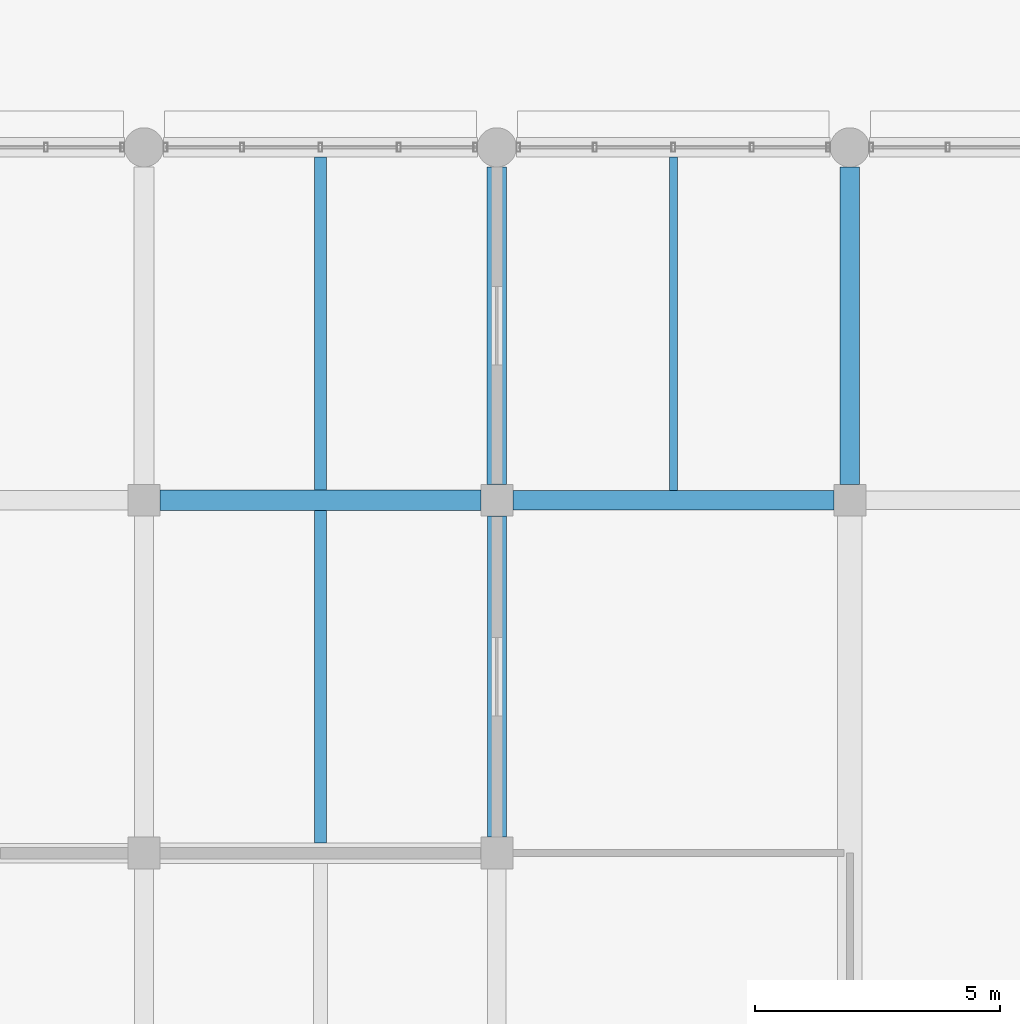
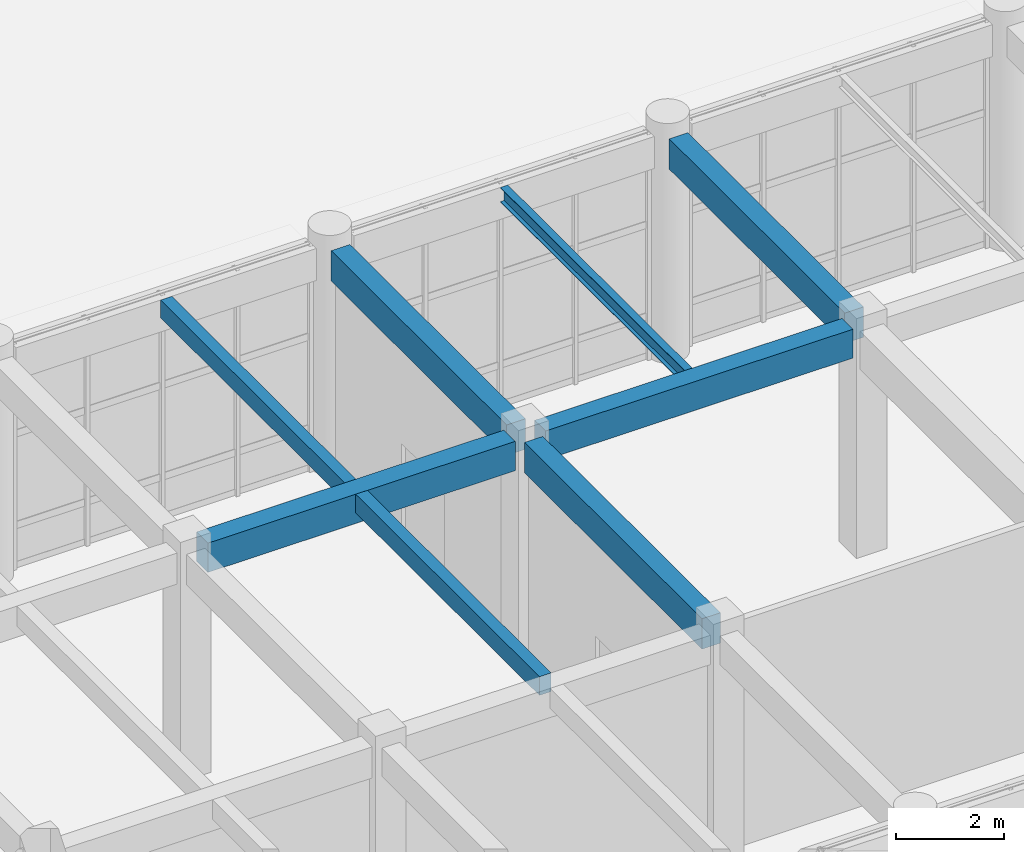
# One storey, part 51 of 160: 8 beams.
"""IFC4 building model written with IfcOpenShell, lengths in metres."""

from ifc_helpers import new_model, si_unit, direction, frame, origin, origin_2d, place, context, subcontext, project, spatial, rectangle, i_section, extrude, material, material_profile, profile_set, type_object, element, save


model = new_model("IFC4")

# Units and contexts
model_context = context("Model", 3, precision=1e-05, world=origin(), true_north=direction((0.0, 1.0)))
body_context = subcontext(model_context, "Body", "Model", "MODEL_VIEW")
ifc_project = project(units=[si_unit("LENGTHUNIT", "METRE"), si_unit("AREAUNIT", "SQUARE_METRE"), si_unit("VOLUMEUNIT", "CUBIC_METRE"), si_unit("PLANEANGLEUNIT", "RADIAN"), si_unit("MASSUNIT", "GRAM", prefix="KILO")], contexts=[model_context])

# Site, building, storey
site_placement = place(None, origin())
site = spatial("IfcSite", under=ifc_project, at=site_placement, CompositionType="ELEMENT")
building_placement = place(site_placement, origin())
building = spatial("IfcBuilding", under=site, at=building_placement, Name="Thalmaran Polytechnic", CompositionType="ELEMENT")
storey_placement = place(building_placement, origin())
storey = spatial("IfcBuildingStorey", under=building, at=storey_placement, Name="L00", CompositionType="ELEMENT", Elevation=0.0)

# Beams
ifc_material_1 = material(Name="Concrete C40/50", Category="concrete")
ifc_material_profile_1 = material_profile(ifc_material_1, rectangle(XDim=0.39990234375, YDim=0.64990234375, at=origin_2d()), Name="RC 400x650")
ifc_profile_set_1 = profile_set([ifc_material_profile_1], Name="Concrete C40/50")
beam_type_1 = type_object("IfcBeamType", Name="BM-RC06", PredefinedType="BEAM", material=ifc_profile_set_1)
beam_1_placement = place(storey_placement, frame((50.72509765625, 64.800048828125, 4.764892578125), z_axis=(1.0, 0.0, 0.0), x_axis=(0.0, 1.0, 0.0)))
element("IfcBeam", 1, at=beam_1_placement, inside=storey, type_object=beam_type_1, Name="Grid Beam B06 L00 X(7,9)", PredefinedType="BEAM", context=body_context, shape_type="SweptSolid", body=[
    extrude(rectangle(XDim=0.39990234375, YDim=0.64990234375, at=origin_2d()), origin(), (0.0, 0.0, 1.0), 6.5498046875),
])
ifc_material_profile_2 = material_profile(ifc_material_1, rectangle(XDim=0.389892578125, YDim=0.68505859375, at=origin_2d()), Name="RC 390x685")
ifc_profile_set_2 = profile_set([ifc_material_profile_2], Name="Concrete C40/50")
beam_type_2 = type_object("IfcBeamType", Name="BM-RC08", PredefinedType="BEAM", material=ifc_profile_set_2)
beam_2_placement = place(storey_placement, frame((50.39990234375, 57.925048828125, 4.74755859375), z_axis=(0.0, 1.0, 0.0), x_axis=(-1.0, 0.0, 0.0)))
element("IfcBeam", 2, at=beam_2_placement, inside=storey, type_object=beam_type_2, Name="Grid Beam B08 L00 Y(7,8)", PredefinedType="BEAM", context=body_context, shape_type="SweptSolid", body=[
    extrude(rectangle(XDim=0.389892578125, YDim=0.68505859375, at=origin_2d()), origin(), (0.0, 0.0, 1.0), 6.550048828125),
])
ifc_material_2 = material(Name="Steel S355", Category="steel")
ifc_material_profile_3 = material_profile(ifc_material_2, i_section(OverallWidth=0.159912109375, OverallDepth=0.330078125, WebThickness=0.007568359375, FlangeThickness=0.011474609375, at=origin_2d()), Name="IPE 330")
ifc_profile_set_3 = profile_set([ifc_material_profile_3], Name="Steel S355")
beam_type_3 = type_object("IfcBeamType", Name="BM-SJ02", PredefinedType="JOIST", material=ifc_profile_set_3)
beam_3_placement = place(storey_placement, frame((54.0, 65.0, 4.925048828125), z_axis=(0.0, 1.0, 0.0), x_axis=(-1.0, 0.0, 0.0)))
element("IfcBeam", 3, at=beam_3_placement, inside=storey, type_object=beam_type_3, Name="Secondary Floor Rib SJ02 L00 (7,9)", PredefinedType="JOIST", context=body_context, shape_type="SweptSolid", body=[
    extrude(i_section(OverallWidth=0.159912109375, OverallDepth=0.330078125, WebThickness=0.007568359375, FlangeThickness=0.011474609375, at=origin_2d()), origin(), (0.0, 0.0, 1.0), 6.800048828125),
])
ifc_material_profile_4 = material_profile(ifc_material_1, rectangle(XDim=0.419921875, YDim=0.659912109375, at=origin_2d()), Name="RC 420x660")
ifc_profile_set_4 = profile_set([ifc_material_profile_4], Name="Concrete C40/50")
beam_type_4 = type_object("IfcBeamType", Name="BM-ZB04", PredefinedType="BEAM", material=ifc_profile_set_4)
beam_4_placement = place(storey_placement, frame((43.52490234375, 64.800048828125, 4.760009765625), z_axis=(1.0, 0.0, 0.0), x_axis=(0.0, 1.0, 0.0)))
element("IfcBeam", 4, at=beam_4_placement, inside=storey, type_object=beam_type_4, Name="Grid Beam ZB04 L00 X(6,9)", PredefinedType="BEAM", context=body_context, shape_type="SweptSolid", body=[
    extrude(rectangle(XDim=0.419921875, YDim=0.659912109375, at=origin_2d()), origin(), (0.0, 0.0, 1.0), 6.550048828125),
])
ifc_material_profile_5 = material_profile(ifc_material_1, rectangle(XDim=0.39990234375, YDim=0.68505859375, at=origin_2d()), Name="RC 400x685")
ifc_profile_set_5 = profile_set([ifc_material_profile_5], Name="Concrete C40/50")
beam_type_5 = type_object("IfcBeamType", Name="BM-ZB07", PredefinedType="BEAM", material=ifc_profile_set_5)
for number, where, z_axis, x_axis, name in (
    (5, (50.39990234375, 65.125, 4.74755859375), (0.0, 1.0, 0.0), (-1.0, 0.0, 0.0), "Grid Beam ZB07 L00 Y(7,9)"),
    (6, (57.60009765625, 65.125, 4.74755859375), (0.0, 1.0, 0.0), (-1.0, 0.0, 0.0), "Grid Beam ZB07 L00 Y(8,9)"),
):
    element("IfcBeam", number, at=place(storey_placement, frame(where, z_axis=z_axis, x_axis=x_axis)), inside=storey, type_object=beam_type_5, Name=name, PredefinedType="BEAM", context=body_context, shape_type="SweptSolid", body=[
        extrude(rectangle(XDim=0.39990234375, YDim=0.68505859375, at=origin_2d()), origin(), (0.0, 0.0, 1.0), 6.47509765625),
    ])
ifc_material_profile_6 = material_profile(ifc_material_1, rectangle(XDim=0.25, YDim=0.419921875, at=origin_2d()), Name="RC 250x420")
ifc_profile_set_6 = profile_set([ifc_material_profile_6], Name="Concrete C40/50")
beam_type_6 = type_object("IfcBeamType", Name="BM-ZJ03", PredefinedType="JOIST", material=ifc_profile_set_6)
beam_5_placement = place(storey_placement, frame((46.800048828125, 57.81005859375, 4.8798828125), z_axis=(0.0, 1.0, 0.0), x_axis=(-1.0, 0.0, 0.0)))
element("IfcBeam", 7, at=beam_5_placement, inside=storey, type_object=beam_type_6, Name="Secondary Floor Rib ZJ03 L00 (6,8)", PredefinedType="JOIST", context=body_context, shape_type="SweptSolid", body=[
    extrude(rectangle(XDim=0.25, YDim=0.419921875, at=origin_2d()), origin(), (0.0, 0.0, 1.0), 6.780029296875),
])
ifc_material_profile_7 = material_profile(ifc_material_1, rectangle(XDim=0.239990234375, YDim=0.39990234375, at=origin_2d()), Name="RC 240x400")
ifc_profile_set_7 = profile_set([ifc_material_profile_7], Name="Concrete C40/50")
beam_type_7 = type_object("IfcBeamType", Name="BM-ZJ04", PredefinedType="JOIST", material=ifc_profile_set_7)
beam_6_placement = place(storey_placement, frame((46.800048828125, 65.010009765625, 4.889892578125), z_axis=(0.0, 1.0, 0.0), x_axis=(-1.0, 0.0, 0.0)))
element("IfcBeam", 8, at=beam_6_placement, inside=storey, type_object=beam_type_7, Name="Secondary Floor Rib ZJ04 L00 (6,9)", PredefinedType="JOIST", context=body_context, shape_type="SweptSolid", body=[
    extrude(rectangle(XDim=0.239990234375, YDim=0.39990234375, at=origin_2d()), origin(), (0.0, 0.0, 1.0), 6.7900390625),
])

save(model, "model.ifc")
